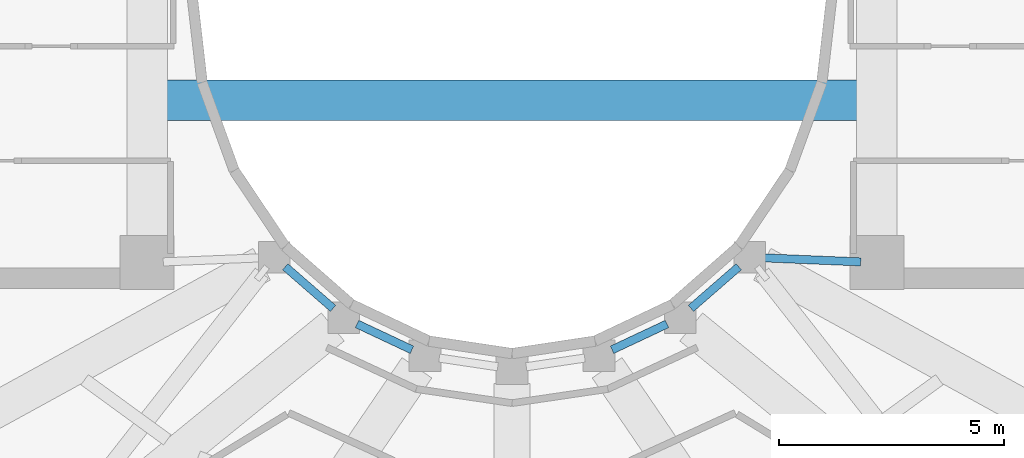
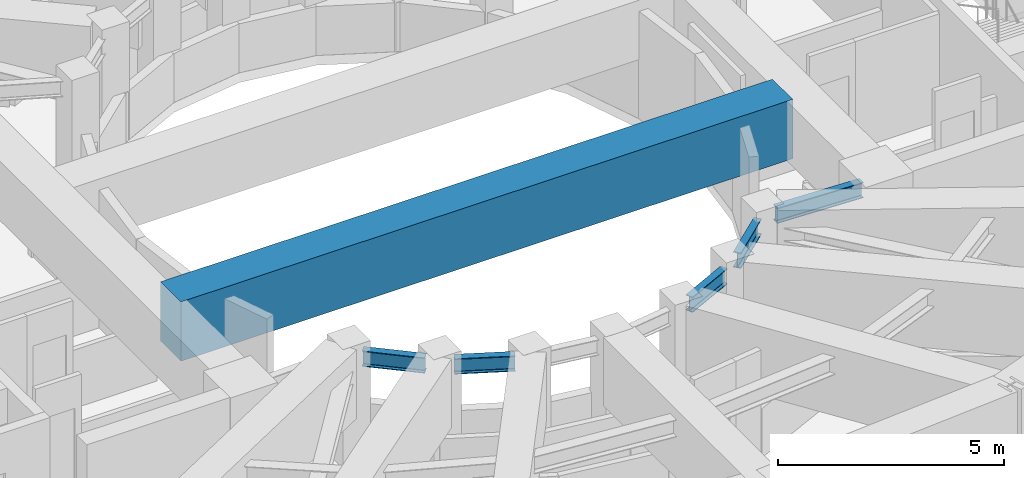
# One storey, part 6 of 18: 6 beams.
"""IFC4 building model written with IfcOpenShell, lengths in metres."""

from ifc_helpers import new_model, si_unit, direction, frame, origin, origin_2d, place, context, subcontext, project, spatial, rectangle, i_section, extrude, material, material_profile, profile_set, type_object, element, save


model = new_model("IFC4")

# Units and contexts
model_context = context("Model", 3, precision=1e-05, world=origin(), true_north=direction((0.0, 1.0)))
body_context = subcontext(model_context, "Body", "Model", "MODEL_VIEW")
ifc_project = project(units=[si_unit("LENGTHUNIT", "METRE"), si_unit("AREAUNIT", "SQUARE_METRE"), si_unit("VOLUMEUNIT", "CUBIC_METRE"), si_unit("PLANEANGLEUNIT", "RADIAN"), si_unit("MASSUNIT", "GRAM", prefix="KILO")], contexts=[model_context])

# Site, building, storey
site_placement = place(None, origin())
site = spatial("IfcSite", under=ifc_project, at=site_placement, CompositionType="ELEMENT")
building_placement = place(site_placement, origin())
building = spatial("IfcBuilding", under=site, at=building_placement, Name="Solvane Sanctuary Tower", CompositionType="ELEMENT")
storey_placement = place(building_placement, frame((0.0, 0.0, 263.60009765625)))
storey = spatial("IfcBuildingStorey", under=building, at=storey_placement, Name="L80", CompositionType="ELEMENT", Elevation=263.60009765625)

# Beams
ifc_material_1 = material(Name="Steel ASTM A992 Grade 50", Category="steel")
ifc_material_profile_1 = material_profile(ifc_material_1, i_section(OverallWidth=0.180908203125, OverallDepth=0.4169921875, WebThickness=0.010986328125, FlangeThickness=0.018310546875, FilletRadius=0.012939453125, at=origin_2d()), Name="W16X57")
ifc_profile_set_1 = profile_set([ifc_material_profile_1], Name="Steel ASTM A992 Grade 50")
beam_type_1 = type_object("IfcBeamType", Name="Beam B-ROOF-BM W16X57", PredefinedType="BEAM", material=ifc_profile_set_1)
beam_1_placement = place(storey_placement, frame((26.96630859375, 16.807861328125, 2.7294921875), z_axis=(0.754388985763, -0.656427648839, 0.0), x_axis=(0.656427648839, 0.754388985763, 0.0)))
element("IfcBeam", 1, at=beam_1_placement, inside=storey, type_object=beam_type_1, Name="L80 Inner Light-Well Ring Beam IC08-IC09", PredefinedType="BEAM", context=body_context, shape_type="SweptSolid", body=[
    extrude(i_section(OverallWidth=0.180908203125, OverallDepth=0.4169921875, WebThickness=0.010986328125, FlangeThickness=0.018310546875, FilletRadius=0.012939453125, at=origin_2d()), origin(), (0.0, 0.0, 1.0), 1.408203125),
])
for number, where, z_axis, x_axis, name in (
    (2, (28.5595703125, 15.537353515625, 2.7294921875), (0.905134542189, -0.425125229241, 0.0), (0.425125229241, 0.905134542189, 0.0), "L80 Inner Light-Well Ring Beam IC09-IC10"),
    (3, (34.220458984375, 14.96435546875, 2.7294921875), (0.905134542189, 0.425125229241, 0.0), (-0.425125229241, 0.905134542189, 0.0), "L80 Inner Light-Well Ring Beam IC12-IC13"),
):
    element("IfcBeam", number, at=place(storey_placement, frame(where, z_axis=z_axis, x_axis=x_axis)), inside=storey, type_object=beam_type_1, Name=name, PredefinedType="BEAM", context=body_context, shape_type="SweptSolid", body=[
        extrude(i_section(OverallWidth=0.180908203125, OverallDepth=0.4169921875, WebThickness=0.010986328125, FlangeThickness=0.018310546875, FilletRadius=0.012939453125, at=origin_2d()), origin(), (0.0, 0.0, 1.0), 1.347900390625),
    ])
beam_2_placement = place(storey_placement, frame((35.971435546875, 15.883544921875, 2.7294921875), z_axis=(0.754388985763, 0.656427648839, 0.0), x_axis=(-0.656427648839, 0.754388985763, 0.0)))
element("IfcBeam", 4, at=beam_2_placement, inside=storey, type_object=beam_type_1, Name="L80 Inner Light-Well Ring Beam IC13-IC14", PredefinedType="BEAM", context=body_context, shape_type="SweptSolid", body=[
    extrude(i_section(OverallWidth=0.180908203125, OverallDepth=0.4169921875, WebThickness=0.010986328125, FlangeThickness=0.018310546875, FilletRadius=0.012939453125, at=origin_2d()), origin(), (0.0, 0.0, 1.0), 1.408203125),
])
beam_3_placement = place(storey_placement, frame((37.5947265625, 17.004638671875, 2.7294921875), z_axis=(0.999129127803, -0.041725124022, 0.0), x_axis=(0.041725124022, 0.999129127803, 0.0)))
element("IfcBeam", 5, at=beam_3_placement, inside=storey, type_object=beam_type_1, Name="L80 Inner Light-Well Ring Beam IC14-CE1", PredefinedType="BEAM", context=body_context, shape_type="SweptSolid", body=[
    extrude(i_section(OverallWidth=0.180908203125, OverallDepth=0.4169921875, WebThickness=0.010986328125, FlangeThickness=0.018310546875, FilletRadius=0.012939453125, at=origin_2d()), origin(), (0.0, 0.0, 1.0), 2.1474609375),
])
ifc_material_2 = material(Name="Concrete C60/75", Category="concrete")
ifc_material_profile_2 = material_profile(ifc_material_2, rectangle(XDim=0.89990234375, YDim=1.60009765625, at=origin_2d()), Name="RC900X1600")
ifc_profile_set_2 = profile_set([ifc_material_profile_2], Name="Concrete C60/75")
beam_type_2 = type_object("IfcBeamType", Name="Beam B-XFER-SP RC900X1600", PredefinedType="BEAM", material=ifc_profile_set_2)
beam_4_placement = place(storey_placement, frame((24.199951171875, 20.5, 2.39990234375), z_axis=(1.0, 0.0, 0.0), x_axis=(0.0, 1.0, 0.0)))
element("IfcBeam", 6, at=beam_4_placement, inside=storey, type_object=beam_type_2, Name="L80 Spire Anchorage Transfer Girder S", PredefinedType="BEAM", context=body_context, shape_type="SweptSolid", body=[
    extrude(rectangle(XDim=0.89990234375, YDim=1.60009765625, at=origin_2d()), origin(), (0.0, 0.0, 1.0), 15.60009765625),
])

save(model, "model.ifc")
